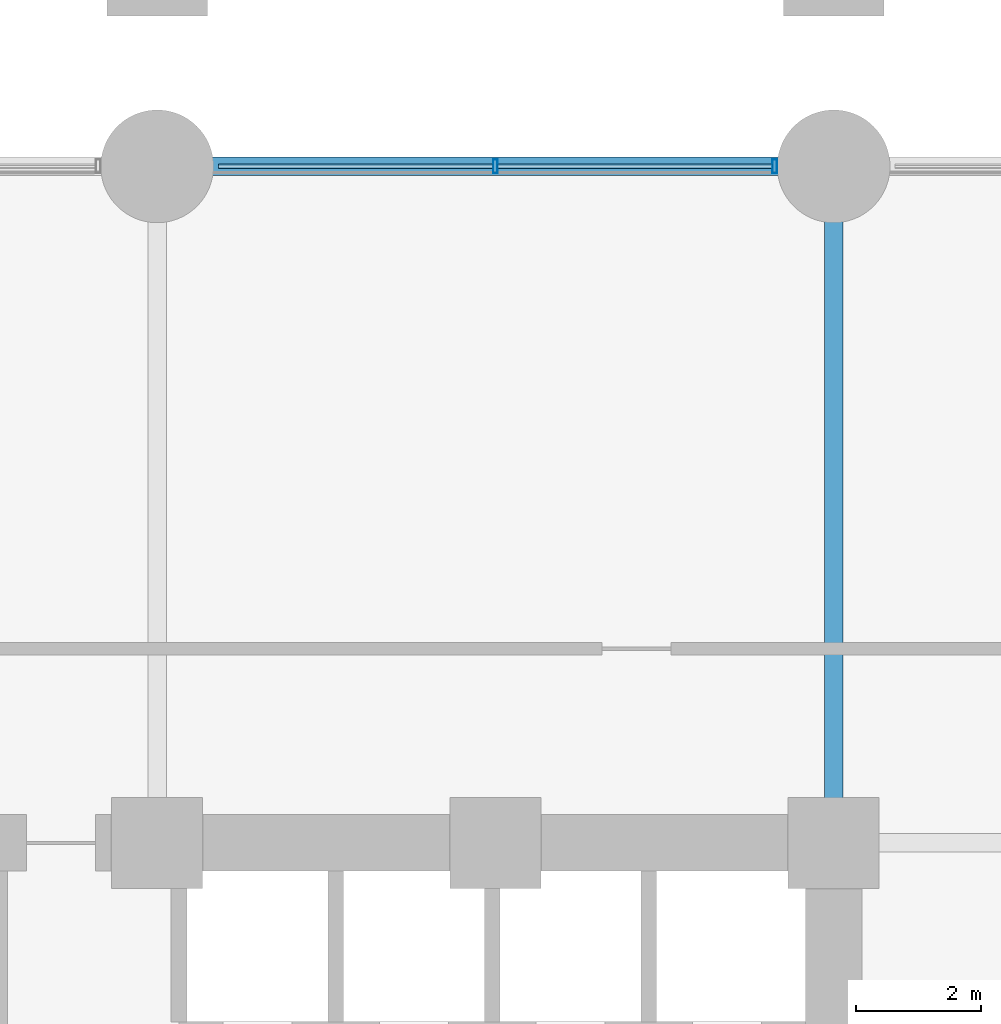
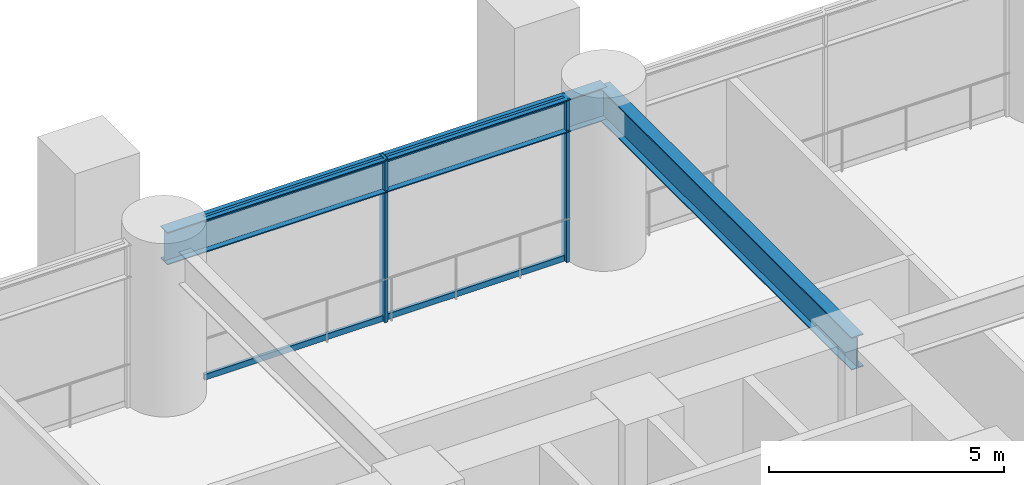
# One storey, part 15 of 31: 6 members, 2 beams, 1 element without a shape of its own.
"""IFC4 building model written with IfcOpenShell, lengths in metres."""

import ifcopenshell
import ifcopenshell.guid

model = None  # the IFC model being written
_history = None  # IfcOwnerHistory: only IFC2X3 demands one
_inside = {}  # id of a spatial element -> (the spatial element, [elements in it])
_under = {}  # id of a project, library or spatial element -> (it, [spatial elements below it])
_declared = {}  # id of a project -> (the project, [libraries it declares])
_typed = {}  # id of a type object -> (the type object, [elements of that type])
_made_of = {}  # id of a material, layer set ... -> (it, [elements and type objects made of it])


def new_model(schema):
    """Start an empty IFC model of exactly this schema.

    Asked for "IFC4X3", IfcOpenShell would pick the latest addendum, in which some entities
    have other attributes; the version numbers below select the first issue.
    IFC2X3 requires an IfcOwnerHistory on every rooted entity: one is made here for all.
    """
    global model, _history
    if schema == "IFC4X3":
        model = ifcopenshell.file(schema_version=(4, 3, 0, 0))
    else:
        model = ifcopenshell.file(schema=schema)
    _inside.clear()
    _under.clear()
    _declared.clear()
    _typed.clear()
    _made_of.clear()
    _history = None
    if model.schema == "IFC2X3":
        org = make("IfcOrganization", Name="unknown")
        user = make(
            "IfcPersonAndOrganization",
            ThePerson=make("IfcPerson", FamilyName="unknown"),
            TheOrganization=org,
        )
        app = make(
            "IfcApplication",
            ApplicationDeveloper=org,
            Version="unknown",
            ApplicationFullName="unknown",
            ApplicationIdentifier="unknown",
        )
        _history = make(
            "IfcOwnerHistory",
            OwningUser=user,
            OwningApplication=app,
            ChangeAction="ADDED",
            CreationDate=0,
        )
    return model


def make(cls, **values):
    """One entity of the class cls with the attributes given. An attribute that is None is left unset."""
    return model.create_entity(
        cls, **{name: value for name, value in values.items() if value is not None}
    )


def rooted(cls, **values):
    """An entity with a GlobalId (a new one), such as an element, a storey or a relation."""
    return make(cls, GlobalId=ifcopenshell.guid.new(), OwnerHistory=_history, **values)


def si_unit(unit_type, name, prefix=None):
    """IfcSIUnit, for example si_unit("LENGTHUNIT", "METRE", prefix="MILLI")."""
    return make("IfcSIUnit", UnitType=unit_type, Prefix=prefix, Name=name)


def assignment(units):
    """IfcUnitAssignment: the units of a project."""
    return None if units is None else make("IfcUnitAssignment", Units=units)


def point(xyz):
    """IfcCartesianPoint."""
    return None if xyz is None else make("IfcCartesianPoint", Coordinates=xyz)


def direction(xyz):
    """IfcDirection."""
    return None if xyz is None else make("IfcDirection", DirectionRatios=xyz)


def frame(location, z_axis=None, x_axis=None):
    """IfcAxis2Placement3D, a coordinate frame: its origin and axes. An axis left out is left unset."""
    return make(
        "IfcAxis2Placement3D",
        Location=point(location),
        Axis=direction(z_axis),
        RefDirection=direction(x_axis),
    )


def frame_2d(location, x_axis=None):
    """IfcAxis2Placement2D, a coordinate frame in the plane: its origin and x axis."""
    return make(
        "IfcAxis2Placement2D", Location=point(location), RefDirection=direction(x_axis)
    )


def origin():
    """The frame at (0, 0, 0) with its axes left unset."""
    return frame((0.0, 0.0, 0.0))


def origin_2d():
    """The frame at (0, 0) in the plane with its x axis left unset."""
    return frame_2d((0.0, 0.0))


def place(relative_to, where):
    """IfcLocalPlacement: puts the frame where relative to a parent placement (None: the world)."""
    return make(
        "IfcLocalPlacement", PlacementRelTo=relative_to, RelativePlacement=where
    )


def context(
    kind, dimensions, precision=None, world=None, true_north=None, identifier=None
):
    """IfcGeometricRepresentationContext, for example the 3D "Model" context."""
    return make(
        "IfcGeometricRepresentationContext",
        ContextIdentifier=identifier,
        ContextType=kind,
        CoordinateSpaceDimension=dimensions,
        Precision=precision,
        WorldCoordinateSystem=world,
        TrueNorth=true_north,
    )


def subcontext(parent, identifier, kind, view, scale=None):
    """IfcGeometricRepresentationSubContext, for example "Body" below "Model"."""
    return make(
        "IfcGeometricRepresentationSubContext",
        ContextIdentifier=identifier,
        ContextType=kind,
        ParentContext=parent,
        TargetScale=scale,
        TargetView=view,
    )


def project(units=None, contexts=None):
    """IfcProject with its units and contexts."""
    return rooted(
        "IfcProject",
        Name="project",
        RepresentationContexts=contexts,
        UnitsInContext=assignment(units),
    )


def spatial(cls, under=None, at=None, **own):
    """A site, building, storey or space (cls), placed at a placement, below another one or the project."""
    s = rooted(cls, ObjectPlacement=at, **own)
    if under is not None:
        _under.setdefault(under.id(), (under, []))[1].append(s)
    return s


def profile(cls, at=None, kind="AREA", **sizes):
    """A parametric profile (cls). Its sizes go by their IFC names, for example OverallWidth=200.0."""
    return make(cls, ProfileType=kind, Position=at, **sizes)


def hollow_rectangle(**sizes):
    """IfcRectangleHollowProfileDef."""
    return profile("IfcRectangleHollowProfileDef", **sizes)


def i_section(**sizes):
    """IfcIShapeProfileDef."""
    return profile("IfcIShapeProfileDef", **sizes)


def extrude(swept, where, along, depth):
    """IfcExtrudedAreaSolid: the profile swept, set in the frame where, extruded along a direction by depth."""
    return make(
        "IfcExtrudedAreaSolid",
        SweptArea=swept,
        Position=where,
        ExtrudedDirection=direction(along),
        Depth=depth,
    )


def shape(context_of_items, identifier, shape_type, items):
    """IfcShapeRepresentation: the items that make up one representation, for example the "Body"."""
    return make(
        "IfcShapeRepresentation",
        ContextOfItems=context_of_items,
        RepresentationIdentifier=identifier,
        RepresentationType=shape_type,
        Items=items,
    )


def material(Name=None, Category=None):
    """IfcMaterial."""
    return make("IfcMaterial", Name=Name, Category=Category)


def layer(
    of_material, thickness, ventilated=None, Name=None, Category=None, Priority=None
):
    """IfcMaterialLayer: one layer of a wall or slab, of a material (None: an air gap)."""
    return make(
        "IfcMaterialLayer",
        Material=of_material,
        LayerThickness=thickness,
        IsVentilated=ventilated,
        Name=Name,
        Category=Category,
        Priority=Priority,
    )


def layer_set(layers, Name=None):
    """IfcMaterialLayerSet."""
    return make("IfcMaterialLayerSet", MaterialLayers=layers, LayerSetName=Name)


def material_profile(
    of_material, cross_section, Name=None, Category=None, Priority=None
):
    """IfcMaterialProfile: a cross section and its material."""
    return make(
        "IfcMaterialProfile",
        Name=Name,
        Material=of_material,
        Profile=cross_section,
        Priority=Priority,
        Category=Category,
    )


def profile_set(profiles, Name=None, composite=None):
    """IfcMaterialProfileSet."""
    return make(
        "IfcMaterialProfileSet",
        Name=Name,
        MaterialProfiles=profiles,
        CompositeProfile=composite,
    )


def made_of(thing, what):
    """Note that an element or type object is made of a material, layer set ...; save() writes the relation."""
    if what is not None:
        _made_of.setdefault(what.id(), (what, []))[1].append(thing)
    return thing


def type_object(cls, material=None, **own):
    """A type object (cls), such as IfcWallType, which elements share."""
    return made_of(rooted(cls, **own), material)


def element(
    cls,
    number,
    at=None,
    inside=None,
    cuts=None,
    type_object=None,
    material=None,
    context=None,
    identifier="Body",
    shape_type=None,
    held_by="IfcProductDefinitionShape",
    body=None,
    shapes=None,
    **own,
):
    """One element of the class cls, such as IfcWall. Its Tag is "e" and its number.

    at: its placement. inside: the storey or other place that contains it. cuts: it is an
    opening in that element (IfcRelVoidsElement). A single representation is given by context,
    identifier, shape_type and body (its items); several are given by shapes. held_by: the class
    of the entity that holds the representations. save() writes the other relations.
    """
    e = rooted(cls, Tag="e%d" % number, ObjectPlacement=at, **own)
    if body is not None:
        shapes = [shape(context, identifier, shape_type, body)]
    if shapes is not None:
        e.Representation = make(held_by, Representations=shapes)
    if inside is not None:
        _inside.setdefault(inside.id(), (inside, []))[1].append(e)
    if cuts is not None:
        rooted(
            "IfcRelVoidsElement", RelatingBuildingElement=cuts, RelatedOpeningElement=e
        )
    if type_object is not None:
        _typed.setdefault(type_object.id(), (type_object, []))[1].append(e)
    return made_of(e, material)


def aggregate(whole, parts):
    """IfcRelAggregates: a whole, such as a stair, and the parts it consists of."""
    return rooted("IfcRelAggregates", RelatingObject=whole, RelatedObjects=parts)


def save(model, path):
    """Write the relations noted so far, then the file.

    IfcRelAggregates (storeys below a building ...), IfcRelContainedInSpatialStructure (elements
    in a storey), IfcRelDefinesByType, IfcRelAssociatesMaterial and IfcRelDeclares: one each for
    every whole, place, type object, material and project.
    """
    for whole, parts in _under.values():
        aggregate(whole, parts)
    for where, things in _inside.values():
        rooted(
            "IfcRelContainedInSpatialStructure",
            RelatedElements=things,
            RelatingStructure=where,
        )
    for kind, things in _typed.values():
        rooted("IfcRelDefinesByType", RelatedObjects=things, RelatingType=kind)
    for what, things in _made_of.values():
        rooted("IfcRelAssociatesMaterial", RelatedObjects=things, RelatingMaterial=what)
    for by, libraries in _declared.values():
        rooted("IfcRelDeclares", RelatingContext=by, RelatedDefinitions=libraries)
    model.write(path)


model = new_model("IFC4")

# Units and contexts
model_context = context("Model", 3, precision=1e-05, world=origin(), true_north=direction((0.0, 1.0)))
body_context = subcontext(model_context, "Body", "Model", "MODEL_VIEW")
ifc_project = project(units=[si_unit("LENGTHUNIT", "METRE"), si_unit("AREAUNIT", "SQUARE_METRE"), si_unit("VOLUMEUNIT", "CUBIC_METRE"), si_unit("PLANEANGLEUNIT", "RADIAN"), si_unit("MASSUNIT", "GRAM", prefix="KILO")], contexts=[model_context])

# Site, building, storey
site_placement = place(None, origin())
site = spatial("IfcSite", under=ifc_project, at=site_placement, CompositionType="ELEMENT")
building_placement = place(site_placement, origin())
building = spatial("IfcBuilding", under=site, at=building_placement, Name="Surkhivell Harbour Commons", CompositionType="ELEMENT")
storey_placement = place(building_placement, frame((0.0, 0.0, 4.5)))
storey = spatial("IfcBuildingStorey", under=building, at=storey_placement, Name="L01", CompositionType="ELEMENT", Elevation=4.5)

# Beams
ifc_material_1 = material(Name="Steel S460", Category="steel")
ifc_material_profile_1 = material_profile(ifc_material_1, i_section(OverallWidth=0.2939453125, OverallDepth=0.85107421875, WebThickness=0.01611328125, FlangeThickness=0.02685546875, at=origin_2d()), Name="UB838x292x226")
ifc_profile_set_1 = profile_set([ifc_material_profile_1], Name="Steel S460")
beam_type = type_object("IfcBeamType", Name="BM-SPN-838", PredefinedType="SPANDREL", material=ifc_profile_set_1)
for number, where, z_axis, x_axis, name in (
    (1, (0.0, 21.60009765625, 3.824462890625), (1.0, 0.0, 0.0), (0.0, 1.0, 0.0), "L01 Framing Beam (0.0,21.6)"),
    (2, (10.800048828125, 10.800048828125, 3.824462890625), (0.0, 1.0, 0.0), (-1.0, 0.0, 0.0), "L01 Framing Beam (10.8,10.8)"),
):
    element("IfcBeam", number, at=place(storey_placement, frame(where, z_axis=z_axis, x_axis=x_axis)), inside=storey, type_object=beam_type, Name=name, PredefinedType="SPANDREL", context=body_context, shape_type="SweptSolid", body=[
        extrude(i_section(OverallWidth=0.2939453125, OverallDepth=0.85107421875, WebThickness=0.01611328125, FlangeThickness=0.02685546875, at=origin_2d()), origin(), (0.0, 0.0, 1.0), 10.800048828125),
    ])

# Curtain wall, members
ifc_material_2 = material(Name="Anodised pale-metal aluminium and insulated glazing", Category="aluminium")
ifc_layer = layer(ifc_material_2, 0.239990234375)
ifc_layer_set = layer_set([ifc_layer], Name="Anodised pale-metal aluminium and insulated glazing")
curtain_wall_type = type_object("IfcCurtainWallType", Name="CW-SYS-POD", PredefinedType="NOTDEFINED", material=ifc_layer_set)
curtain_wall_placement = place(storey_placement, origin())
curtain_wall = element("IfcCurtainWall", 3, at=curtain_wall_placement, inside=storey, type_object=curtain_wall_type, Name="L01 Curtain Wall CW-L01-P03", PredefinedType="NOTDEFINED")
ifc_material_3 = material(Name="Anodised pale-metal aluminium alloy 6063-T6", Category="aluminium")
ifc_material_profile_2 = material_profile(ifc_material_3, hollow_rectangle(XDim=0.074951171875, YDim=0.219970703125, WallThickness=0.00390625, at=origin_2d()), Name="ALU-MULL-75x220")
ifc_profile_set_2 = profile_set([ifc_material_profile_2], Name="Anodised pale-metal aluminium alloy 6063-T6")
member_type_1 = type_object("IfcMemberType", Name="CWM-220", PredefinedType="MULLION", material=ifc_profile_set_2)
member_1_placement = place(storey_placement, frame((9.860595703125, 21.60009765625, 0.0), z_axis=(0.0, 0.0, 1.0), x_axis=(-1.0, 0.0, 0.0)))
member_1 = element("IfcMember", 4, at=member_1_placement, type_object=member_type_1, Name="CW-POD mullion 5", PredefinedType="MULLION", context=body_context, shape_type="SweptSolid", body=[
    extrude(hollow_rectangle(XDim=0.074951171875, YDim=0.219970703125, WallThickness=0.00390625, at=origin_2d()), origin(), (0.0, 0.0, 1.0), 4.25),
])
member_2_placement = place(storey_placement, frame((5.39990234375, 21.60009765625, 0.0), z_axis=(0.0, 0.0, 1.0), x_axis=(-1.0, 0.0, 0.0)))
member_2 = element("IfcMember", 5, at=member_2_placement, type_object=member_type_1, Name="CW-POD mullion 6", PredefinedType="MULLION", context=body_context, shape_type="SweptSolid", body=[
    extrude(hollow_rectangle(XDim=0.074951171875, YDim=0.219970703125, WallThickness=0.00390625, at=origin_2d()), origin(), (0.0, 0.0, 1.0), 4.25),
])
ifc_material_profile_3 = material_profile(ifc_material_3, hollow_rectangle(XDim=0.074951171875, YDim=0.14990234375, WallThickness=0.00341796875, at=origin_2d()), Name="ALU-TRAN-75x150")
ifc_profile_set_3 = profile_set([ifc_material_profile_3], Name="Anodised pale-metal aluminium alloy 6063-T6")
member_type_2 = type_object("IfcMemberType", Name="CWT-150", PredefinedType="USERDEFINED", material=ifc_profile_set_3)
member_3_placement = place(storey_placement, frame((9.822998046875, 21.60009765625, 0.074951171875), z_axis=(-1.0, 0.0, 0.0), x_axis=(0.0, -1.0, 0.0)))
member_3 = element("IfcMember", 6, at=member_3_placement, type_object=member_type_2, Name="CW-POD transom 5.1", ObjectType="TRANSOM", PredefinedType="USERDEFINED", context=body_context, shape_type="SweptSolid", body=[
    extrude(hollow_rectangle(XDim=0.074951171875, YDim=0.14990234375, WallThickness=0.00341796875, at=origin_2d()), origin(), (0.0, 0.0, 1.0), 4.385498046875),
])
member_4_placement = place(storey_placement, frame((9.822998046875, 21.60009765625, 4.175048828125), z_axis=(-1.0, 0.0, 0.0), x_axis=(0.0, -1.0, 0.0)))
member_4 = element("IfcMember", 7, at=member_4_placement, type_object=member_type_2, Name="CW-POD transom 5.2", ObjectType="TRANSOM", PredefinedType="USERDEFINED", context=body_context, shape_type="SweptSolid", body=[
    extrude(hollow_rectangle(XDim=0.074951171875, YDim=0.14990234375, WallThickness=0.00341796875, at=origin_2d()), origin(), (0.0, 0.0, 1.0), 4.385498046875),
])
member_5_placement = place(storey_placement, frame((5.362548828125, 21.60009765625, 0.074951171875), z_axis=(-1.0, 0.0, 0.0), x_axis=(0.0, -1.0, 0.0)))
member_5 = element("IfcMember", 8, at=member_5_placement, type_object=member_type_2, Name="CW-POD transom 6.1", ObjectType="TRANSOM", PredefinedType="USERDEFINED", context=body_context, shape_type="SweptSolid", body=[
    extrude(hollow_rectangle(XDim=0.074951171875, YDim=0.14990234375, WallThickness=0.00341796875, at=origin_2d()), origin(), (0.0, 0.0, 1.0), 4.385498046875),
])
member_6_placement = place(storey_placement, frame((5.362548828125, 21.60009765625, 4.175048828125), z_axis=(-1.0, 0.0, 0.0), x_axis=(0.0, -1.0, 0.0)))
member_6 = element("IfcMember", 9, at=member_6_placement, type_object=member_type_2, Name="CW-POD transom 6.2", ObjectType="TRANSOM", PredefinedType="USERDEFINED", context=body_context, shape_type="SweptSolid", body=[
    extrude(hollow_rectangle(XDim=0.074951171875, YDim=0.14990234375, WallThickness=0.00341796875, at=origin_2d()), origin(), (0.0, 0.0, 1.0), 4.385498046875),
])
aggregate(curtain_wall, [member_1, member_2, member_3, member_4, member_5, member_6])

save(model, "model.ifc")
